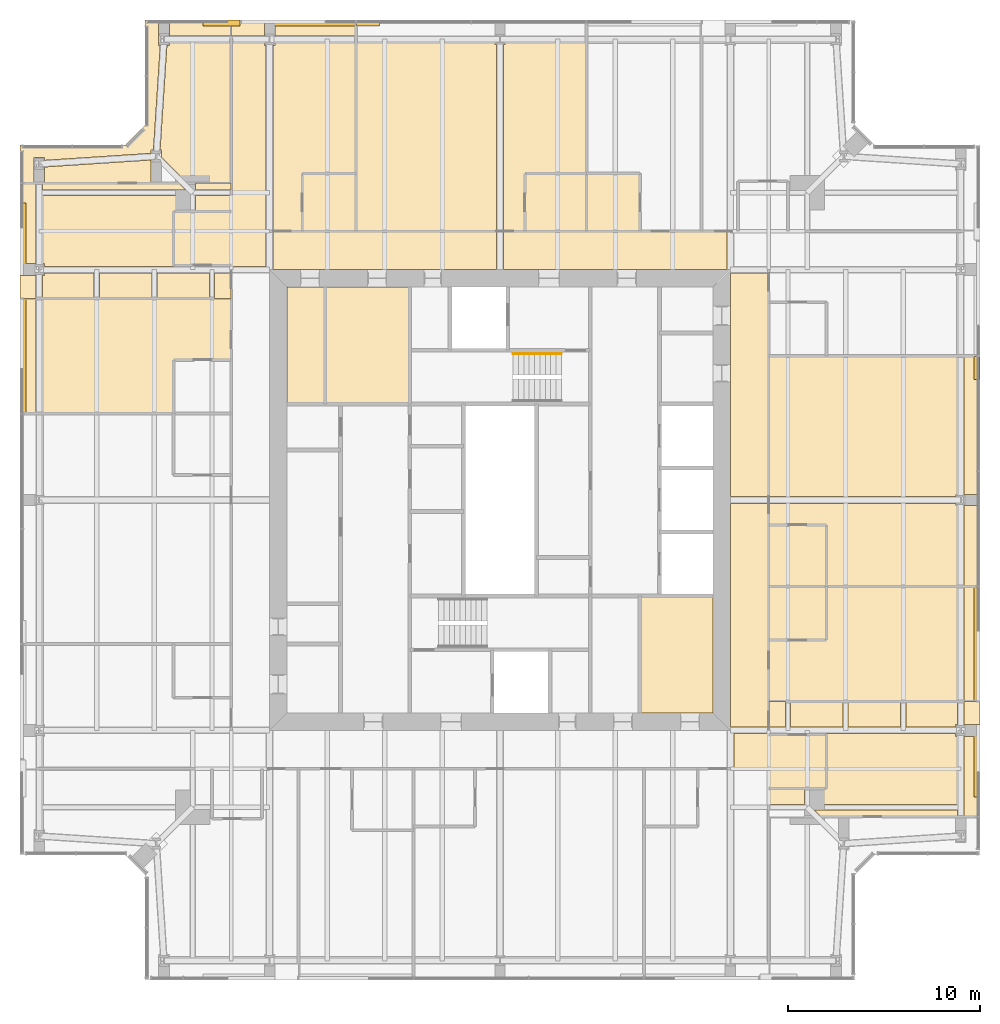
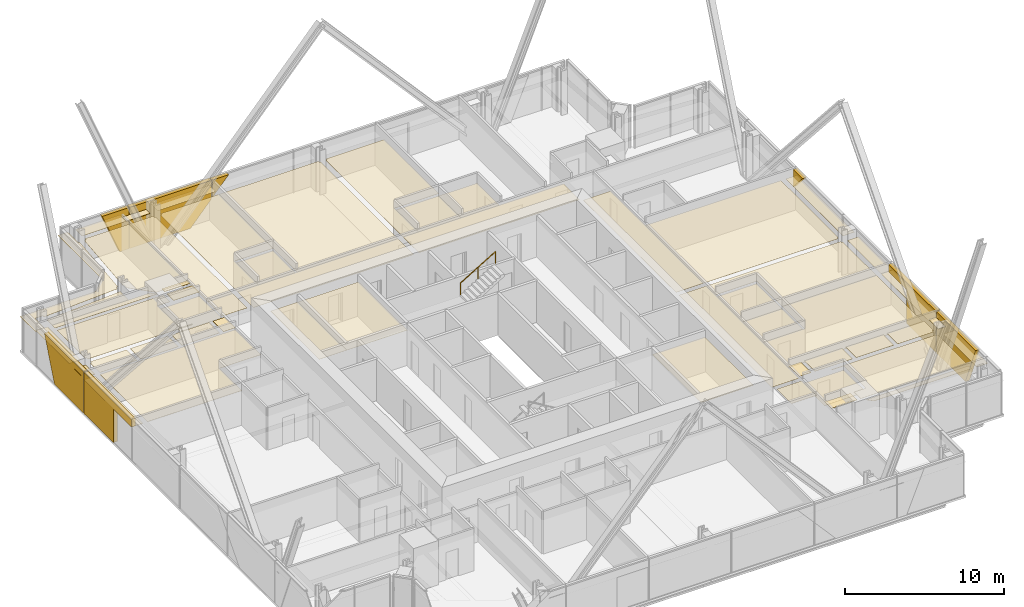
# One storey, part 17 of 18: 61 coverings, 1 railing.
"""IFC4 building model written with IfcOpenShell, lengths in metres."""

from ifc_helpers import new_model, si_unit, direction, frame, origin, origin_2d, place, context, subcontext, project, spatial, polyline, circle, outline, extrude, material, layer, layer_set, type_object, element, save


model = new_model("IFC4")

# Units and contexts
model_context = context("Model", 3, precision=1e-05, world=origin(), true_north=direction((0.0, 1.0)))
body_context = subcontext(model_context, "Body", "Model", "MODEL_VIEW")
ifc_project = project(units=[si_unit("LENGTHUNIT", "METRE"), si_unit("AREAUNIT", "SQUARE_METRE"), si_unit("VOLUMEUNIT", "CUBIC_METRE"), si_unit("PLANEANGLEUNIT", "RADIAN"), si_unit("MASSUNIT", "GRAM", prefix="KILO")], contexts=[model_context])

# Site, building, storey
site_placement = place(None, origin())
site = spatial("IfcSite", under=ifc_project, at=site_placement, CompositionType="ELEMENT")
building_placement = place(site_placement, origin())
building = spatial("IfcBuilding", under=site, at=building_placement, Name="Fenwick Lantern Interchange", CompositionType="ELEMENT")
storey_placement = place(building_placement, frame((0.0, 0.0, 269.60009765625)))
storey = spatial("IfcBuildingStorey", under=building, at=storey_placement, Name="L64", CompositionType="ELEMENT", Elevation=269.60009765625)

# Coverings
ifc_material_1 = material(Name="Granite cladding, warm grey flamed finish, on aluminium carrier frame", Category="masonry")
ifc_layer_1 = layer(ifc_material_1, 0.300048828125)
ifc_layer_set_1 = layer_set([ifc_layer_1], Name="BRACE CASING PANEL 300")
covering_type_1 = type_object("IfcCoveringType", Name="BRACE CASING PANEL 300", PredefinedType="CLADDING", material=ifc_layer_set_1)
covering_1_placement = place(storey_placement, frame((49.89990234375, 6.60009765625, 0.0), z_axis=(0.0, 0.0, 1.0), x_axis=(0.0, 1.0, 0.0)))
element("IfcCovering", 1, at=covering_1_placement, inside=storey, type_object=covering_type_1, Name="Brace casing 05 bay 01a", PredefinedType="CLADDING", context=body_context, shape_type="SweptSolid", body=[
    extrude(outline(polyline([(4.21337890625, 0.0), (7.8701171875, 0.0), (7.8701171875, 3.14990234375), (2.939453125, 3.14990234375), (4.21337890625, 0.0)])), frame((0.0, 0.2099609375, 0.0), z_axis=(0.0, -1.0, 0.0), x_axis=(1.0, 0.0, 0.0)), (0.0, 0.0, 1.0), 0.300048828125),
])
covering_2_placement = place(storey_placement, frame((49.89990234375, 6.60009765625, 0.0), z_axis=(0.0, 0.0, 1.0), x_axis=(0.0, 1.0, 0.0)))
element("IfcCovering", 2, at=covering_2_placement, inside=storey, type_object=covering_type_1, Name="Brace casing 05 bay 02a", PredefinedType="CLADDING", context=body_context, shape_type="SweptSolid", body=[
    extrude(outline(polyline([(7.929931640625, 0.0), (11.60009765625, 0.0), (11.60009765625, 2.56689453125), (13.8701171875, 2.56689453125), (13.8701171875, 3.14990234375), (7.929931640625, 3.14990234375), (7.929931640625, 0.0)])), frame((0.0, 0.2099609375, 0.0), z_axis=(0.0, -1.0, 0.0), x_axis=(1.0, 0.0, 0.0)), (0.0, 0.0, 1.0), 0.300048828125),
])
for number, where, z_axis, x_axis, name in (
    (3, (49.89990234375, 6.60009765625, 1.807373046875), (0.0, 0.0, 1.0), (0.0, 1.0, 0.0), "Brace casing 05 bay 04a"),
    (4, (43.39990234375, 49.89990234375, 1.807373046875), (0.0, 0.0, 1.0), (-1.0, 0.0, 0.0), "Brace casing 09 bay 04a"),
):
    element("IfcCovering", number, at=place(storey_placement, frame(where, z_axis=z_axis, x_axis=x_axis)), inside=storey, type_object=covering_type_1, Name=name, PredefinedType="CLADDING", context=body_context, shape_type="SweptSolid", body=[
        extrude(outline(polyline([(25.8701171875, 0.0), (25.8701171875, 1.342529296875), (24.685302734375, 1.342529296875), (25.8701171875, 0.0)])), frame((0.0, 0.2099609375, 0.0), z_axis=(0.0, -1.0, 0.0), x_axis=(1.0, 0.0, 0.0)), (0.0, 0.0, 1.0), 0.300048828125),
    ])
covering_3_placement = place(storey_placement, frame((43.39990234375, 49.89990234375, 0.0), z_axis=(0.0, 0.0, 1.0), x_axis=(-1.0, 0.0, 0.0)))
element("IfcCovering", 5, at=covering_3_placement, inside=storey, type_object=covering_type_1, Name="Brace casing 09 bay 05a", PredefinedType="CLADDING", context=body_context, shape_type="SweptSolid", body=[
    extrude(outline(polyline([(27.46484375, 0.0), (31.8701171875, 0.0), (31.8701171875, 3.14990234375), (25.929931640625, 3.14990234375), (25.929931640625, 1.7392578125), (27.46484375, 0.0)])), frame((0.0, 0.2099609375, 0.0), z_axis=(0.0, -1.0, 0.0), x_axis=(1.0, 0.0, 0.0)), (0.0, 0.0, 1.0), 0.300048828125),
])
covering_4_placement = place(storey_placement, frame((43.39990234375, 49.89990234375, 0.0), z_axis=(0.0, 0.0, 1.0), x_axis=(-1.0, 0.0, 0.0)))
element("IfcCovering", 6, at=covering_4_placement, inside=storey, type_object=covering_type_1, Name="Brace casing 09 bay 06a", PredefinedType="CLADDING", context=body_context, shape_type="SweptSolid", body=[
    extrude(outline(polyline([(31.929931640625, 0.0), (32.586669921875, 0.0), (33.860595703125, 3.14990234375), (31.929931640625, 3.14990234375), (31.929931640625, 0.0)])), frame((0.0, 0.2099609375, 0.0), z_axis=(0.0, -1.0, 0.0), x_axis=(1.0, 0.0, 0.0)), (0.0, 0.0, 1.0), 0.300048828125),
])
covering_5_placement = place(storey_placement, frame((0.10009765625, 43.39990234375, 0.0), z_axis=(0.0, 0.0, 1.0), x_axis=(0.0, -1.0, 0.0)))
element("IfcCovering", 7, at=covering_5_placement, inside=storey, type_object=covering_type_1, Name="Brace casing 13 bay 01a", PredefinedType="CLADDING", context=body_context, shape_type="SweptSolid", body=[
    extrude(outline(polyline([(4.21337890625, 0.0), (7.8701171875, 0.0), (7.8701171875, 3.14990234375), (2.939453125, 3.14990234375), (4.21337890625, 0.0)])), frame((0.0, 0.2099609375, 0.0), z_axis=(0.0, -1.0, 0.0), x_axis=(1.0, 0.0, 0.0)), (0.0, 0.0, 1.0), 0.300048828125),
])
covering_6_placement = place(storey_placement, frame((0.10009765625, 43.39990234375, 0.0), z_axis=(0.0, 0.0, 1.0), x_axis=(0.0, -1.0, 0.0)))
element("IfcCovering", 8, at=covering_6_placement, inside=storey, type_object=covering_type_1, Name="Brace casing 13 bay 02a", PredefinedType="CLADDING", context=body_context, shape_type="SweptSolid", body=[
    extrude(outline(polyline([(7.929931640625, 0.0), (11.60009765625, 0.0), (11.60009765625, 2.56689453125), (13.8701171875, 2.56689453125), (13.8701171875, 3.14990234375), (7.929931640625, 3.14990234375), (7.929931640625, 0.0)])), frame((0.0, 0.2099609375, 0.0), z_axis=(0.0, -1.0, 0.0), x_axis=(1.0, 0.0, 0.0)), (0.0, 0.0, 1.0), 0.300048828125),
])

# Railing
ifc_material_2 = material(Name="Stainless steel handrail", Category="steel")
railing_type = type_object("IfcRailingType", Name="HANDRAIL 900", PredefinedType="HANDRAIL", material=ifc_material_2)
railing_placement = place(storey_placement, frame((25.679931640625, 32.6259765625, 1.869873046875)))
element("IfcRailing", 9, at=railing_placement, inside=storey, type_object=railing_type, Name="L64/STAIR/ST2/HR2", PredefinedType="HANDRAIL", context=body_context, shape_type="SweptSolid", body=[
    extrude(circle(Radius=0.02392578125, at=origin_2d()), frame((0.0, 0.0, 0.8759765625), z_axis=(0.85478489116, 0.0, 0.518982456201), x_axis=(0.0, 1.0, 0.0)), (0.0, 0.0, 1.0), 2.9482421875),
    extrude(circle(Radius=0.02099609375, at=origin_2d()), origin(), (0.0, 0.0, 1.0), 0.851806640625),
    extrude(circle(Radius=0.02099609375, at=origin_2d()), frame((1.260009765625, 0.0, 0.76513671875)), (0.0, 0.0, 1.0), 0.851806640625),
    extrude(circle(Radius=0.02099609375, at=origin_2d()), frame((2.52001953125, 0.0, 1.530029296875)), (0.0, 0.0, 1.0), 0.851806640625),
])

# Coverings
ifc_material_3 = material(Name="Moisture resistant gypsum board on suspended frame, painted")
ifc_layer_2 = layer(ifc_material_3, 0.014892578125)
ifc_layer_set_2 = layer_set([ifc_layer_2], Name="MOISTURE RESISTANT CEILING 15")
covering_type_2 = type_object("IfcCoveringType", Name="MOISTURE RESISTANT CEILING 15", PredefinedType="CEILING", material=ifc_layer_set_2)
covering_7_placement = place(storey_placement, frame((0.0, 0.0, 2.599853515625)))
element("IfcCovering", 10, at=covering_7_placement, inside=storey, type_object=covering_type_2, Name="Women's WC ceiling", PredefinedType="CEILING", context=body_context, shape_type="SweptSolid", body=[
    extrude(outline(polyline([(32.300048828125, 13.89990234375), (36.10009765625, 13.89990234375), (36.10009765625, 20.0), (32.300048828125, 20.0), (32.300048828125, 13.89990234375)])), origin(), (0.0, 0.0, 1.0), 0.01513671875),
])
covering_8_placement = place(storey_placement, frame((0.0, 0.0, 2.599853515625)))
element("IfcCovering", 11, at=covering_8_placement, inside=storey, type_object=covering_type_2, Name="Women's WC ceiling", PredefinedType="CEILING", context=body_context, shape_type="SweptSolid", body=[
    extrude(outline(polyline([(20.300048828125, 36.10009765625), (15.89990234375, 36.10009765625), (15.89990234375, 30.0), (20.300048828125, 30.0), (20.300048828125, 36.10009765625)])), origin(), (0.0, 0.0, 1.0), 0.01513671875),
])
covering_9_placement = place(storey_placement, frame((0.0, 0.0, 2.599853515625)))
element("IfcCovering", 12, at=covering_9_placement, inside=storey, type_object=covering_type_2, Name="Men's WC ceiling", PredefinedType="CEILING", context=body_context, shape_type="SweptSolid", body=[
    extrude(outline(polyline([(15.89990234375, 36.10009765625), (13.89990234375, 36.10009765625), (13.89990234375, 30.0), (15.89990234375, 30.0), (15.89990234375, 36.10009765625)])), origin(), (0.0, 0.0, 1.0), 0.01513671875),
])
covering_10_placement = place(storey_placement, frame((0.0, 0.0, 2.39990234375)))
element("IfcCovering", 13, at=covering_10_placement, inside=storey, type_object=covering_type_2, Name="En-suite 6405 ceiling", PredefinedType="CEILING", context=body_context, shape_type="SweptSolid", body=[
    extrude(outline(polyline([(42.0, 9.97509765625), (42.0, 12.77490234375), (39.0, 12.77490234375), (39.0, 9.97509765625), (42.0, 9.97509765625)])), origin(), (0.0, 0.0, 1.0), 0.014892578125),
])
covering_11_placement = place(storey_placement, frame((0.0, 0.0, 2.39990234375)))
element("IfcCovering", 14, at=covering_11_placement, inside=storey, type_object=covering_type_2, Name="En-suite 6406 ceiling", PredefinedType="CEILING", context=body_context, shape_type="SweptSolid", body=[
    extrude(outline(polyline([(42.0, 17.699951171875), (42.0, 20.5), (39.0, 20.5), (39.0, 17.699951171875), (42.0, 17.699951171875)])), origin(), (0.0, 0.0, 1.0), 0.014892578125),
])
covering_12_placement = place(storey_placement, frame((0.0, 0.0, 2.39990234375)))
element("IfcCovering", 15, at=covering_12_placement, inside=storey, type_object=covering_type_2, Name="En-suite 6407 ceiling", PredefinedType="CEILING", context=body_context, shape_type="SweptSolid", body=[
    extrude(outline(polyline([(42.0, 20.5), (42.0, 23.699951171875), (39.0, 23.699951171875), (39.0, 20.5), (42.0, 20.5)])), origin(), (0.0, 0.0, 1.0), 0.014892578125),
])
covering_13_placement = place(storey_placement, frame((0.0, 0.0, 2.39990234375)))
element("IfcCovering", 16, at=covering_13_placement, inside=storey, type_object=covering_type_2, Name="En-suite 6410 ceiling", PredefinedType="CEILING", context=body_context, shape_type="SweptSolid", body=[
    extrude(outline(polyline([(32.300048828125, 42.0), (29.5, 42.0), (29.5, 39.0), (32.300048828125, 39.0), (32.300048828125, 42.0)])), origin(), (0.0, 0.0, 1.0), 0.014892578125),
])
covering_14_placement = place(storey_placement, frame((0.0, 0.0, 2.39990234375)))
element("IfcCovering", 17, at=covering_14_placement, inside=storey, type_object=covering_type_2, Name="En-suite 6411 ceiling", PredefinedType="CEILING", context=body_context, shape_type="SweptSolid", body=[
    extrude(outline(polyline([(29.5, 42.0), (26.300048828125, 42.0), (26.300048828125, 39.0), (29.5, 39.0), (29.5, 42.0)])), origin(), (0.0, 0.0, 1.0), 0.014892578125),
])
covering_15_placement = place(storey_placement, frame((0.0, 0.0, 2.39990234375)))
element("IfcCovering", 18, at=covering_15_placement, inside=storey, type_object=covering_type_2, Name="En-suite 6412 ceiling", PredefinedType="CEILING", context=body_context, shape_type="SweptSolid", body=[
    extrude(outline(polyline([(17.5, 42.0), (14.699951171875, 42.0), (14.699951171875, 39.0), (17.5, 39.0), (17.5, 42.0)])), origin(), (0.0, 0.0, 1.0), 0.014892578125),
])
covering_16_placement = place(storey_placement, frame((0.0, 0.0, 2.39990234375)))
element("IfcCovering", 19, at=covering_16_placement, inside=storey, type_object=covering_type_2, Name="En-suite 6413 ceiling", PredefinedType="CEILING", context=body_context, shape_type="SweptSolid", body=[
    extrude(outline(polyline([(8.0, 40.02490234375), (8.0, 37.22509765625), (11.0, 37.22509765625), (11.0, 40.02490234375), (8.0, 40.02490234375)])), origin(), (0.0, 0.0, 1.0), 0.014892578125),
])
ifc_material_4 = material(Name="Gypsum plasterboard on suspended frame, painted")
ifc_layer_3 = layer(ifc_material_4, 0.014892578125)
ifc_layer_set_3 = layer_set([ifc_layer_3], Name="PLASTERBOARD CEILING 15")
covering_type_3 = type_object("IfcCoveringType", Name="PLASTERBOARD CEILING 15", PredefinedType="CEILING", material=ifc_layer_set_3)
covering_17_placement = place(storey_placement, frame((0.0, 0.0, 2.57275390625)))
element("IfcCovering", 20, at=covering_17_placement, inside=storey, type_object=covering_type_3, Name="Corridor ceiling", PredefinedType="CEILING", context=body_context, shape_type="SweptSolid", body=[
    extrude(outline(polyline([(39.0, 25.175048828125), (39.0, 36.833984375), (37.0, 36.833984375), (37.0, 25.175048828125), (39.0, 25.175048828125)])), origin(), (0.0, 0.0, 1.0), 0.014892578125),
])
covering_18_placement = place(storey_placement, frame((0.0, 0.0, 2.57275390625)))
element("IfcCovering", 21, at=covering_18_placement, inside=storey, type_object=covering_type_3, Name="Corridor ceiling", PredefinedType="CEILING", context=body_context, shape_type="SweptSolid", body=[
    extrude(outline(polyline([(39.0, 13.166015625), (39.0, 24.824951171875), (37.0, 24.824951171875), (37.0, 13.166015625), (39.0, 13.166015625)])), origin(), (0.0, 0.0, 1.0), 0.014892578125),
])
covering_19_placement = place(storey_placement, frame((0.0, 0.0, 2.57275390625)))
element("IfcCovering", 22, at=covering_19_placement, inside=storey, type_object=covering_type_3, Name="Corridor ceiling", PredefinedType="CEILING", context=body_context, shape_type="SweptSolid", body=[
    extrude(outline(polyline([(24.816162109375, 39.0), (13.183837890625, 39.0), (13.183837890625, 37.0), (24.816162109375, 37.0), (24.816162109375, 39.0)])), origin(), (0.0, 0.0, 1.0), 0.014892578125),
])
covering_20_placement = place(storey_placement, frame((0.0, 0.0, 2.57275390625)))
element("IfcCovering", 23, at=covering_20_placement, inside=storey, type_object=covering_type_3, Name="Corridor ceiling", PredefinedType="CEILING", context=body_context, shape_type="SweptSolid", body=[
    extrude(outline(polyline([(36.816162109375, 39.0), (25.183837890625, 39.0), (25.183837890625, 37.0), (36.816162109375, 37.0), (36.816162109375, 39.0)])), origin(), (0.0, 0.0, 1.0), 0.014892578125),
])
covering_21_placement = place(storey_placement, frame((0.0, 0.0, 2.57275390625)))
element("IfcCovering", 24, at=covering_21_placement, inside=storey, type_object=covering_type_3, Name="Corridor ceiling", PredefinedType="CEILING", context=body_context, shape_type="SweptSolid", body=[
    extrude(outline(polyline([(12.816162109375, 39.0), (11.0, 39.0), (11.0, 37.166015625), (12.816162109375, 37.166015625), (12.816162109375, 39.0)])), origin(), (0.0, 0.0, 1.0), 0.014892578125),
])
covering_22_placement = place(storey_placement, frame((0.0, 0.0, 2.57275390625)))
element("IfcCovering", 25, at=covering_22_placement, inside=storey, type_object=covering_type_3, Name="Corridor ceiling", PredefinedType="CEILING", context=body_context, shape_type="SweptSolid", body=[
    extrude(outline(polyline([(39.0, 11.0), (39.0, 12.833984375), (37.183837890625, 12.833984375), (37.183837890625, 11.0), (39.0, 11.0)])), origin(), (0.0, 0.0, 1.0), 0.014892578125),
])
covering_23_placement = place(storey_placement, frame((0.0, 0.0, 2.699951171875)))
element("IfcCovering", 26, at=covering_23_placement, inside=storey, type_object=covering_type_3, Name="Guest suite 6405 bedroom ceiling", PredefinedType="CEILING", context=body_context, shape_type="SweptSolid", body=[
    extrude(outline(polyline([(48.72900390625, 12.6845703125), (48.72900390625, 12.833984375), (41.134521484375, 12.833984375), (41.134521484375, 12.77490234375), (42.0, 12.77490234375), (42.0, 9.97509765625), (41.134521484375, 9.97509765625), (41.134521484375, 9.134521484375), (48.82763671875, 9.134521484375), (48.82763671875, 12.6845703125), (48.72900390625, 12.6845703125)])), origin(), (0.0, 0.0, 1.0), 0.014892578125),
])
covering_24_placement = place(storey_placement, frame((0.0, 0.0, 2.699951171875)))
element("IfcCovering", 27, at=covering_24_placement, inside=storey, type_object=covering_type_3, Name="Guest suite 6405 bedroom ceiling", PredefinedType="CEILING", context=body_context, shape_type="SweptSolid", body=[
    extrude(outline(polyline([(42.865478515625, 14.5), (40.134521484375, 14.5), (40.134521484375, 13.166015625), (42.865478515625, 13.166015625), (42.865478515625, 14.5)])), origin(), (0.0, 0.0, 1.0), 0.014892578125),
])
covering_25_placement = place(storey_placement, frame((0.0, 0.0, 2.699951171875)))
element("IfcCovering", 28, at=covering_25_placement, inside=storey, type_object=covering_type_3, Name="Guest suite 6405 bedroom ceiling", PredefinedType="CEILING", context=body_context, shape_type="SweptSolid", body=[
    extrude(outline(polyline([(45.865478515625, 14.5), (43.134521484375, 14.5), (43.134521484375, 13.166015625), (45.865478515625, 13.166015625), (45.865478515625, 14.5)])), origin(), (0.0, 0.0, 1.0), 0.014892578125),
])
covering_26_placement = place(storey_placement, frame((0.0, 0.0, 2.699951171875)))
element("IfcCovering", 29, at=covering_26_placement, inside=storey, type_object=covering_type_3, Name="Guest suite 6405 bedroom ceiling", PredefinedType="CEILING", context=body_context, shape_type="SweptSolid", body=[
    extrude(outline(polyline([(48.72900390625, 13.3154296875), (48.82763671875, 13.3154296875), (48.82763671875, 14.5), (46.134521484375, 14.5), (46.134521484375, 13.166015625), (48.72900390625, 13.166015625), (48.72900390625, 13.3154296875)])), origin(), (0.0, 0.0, 1.0), 0.014892578125),
])
covering_27_placement = place(storey_placement, frame((0.0, 0.0, 2.699951171875)))
element("IfcCovering", 30, at=covering_27_placement, inside=storey, type_object=covering_type_3, Name="Guest suite 6405 bedroom ceiling", PredefinedType="CEILING", context=body_context, shape_type="SweptSolid", body=[
    extrude(outline(polyline([(50.0, 12.6845703125), (49.17236328125, 12.6845703125), (49.17236328125, 8.5), (50.0, 8.5), (50.0, 12.6845703125)])), origin(), (0.0, 0.0, 1.0), 0.014892578125),
])
covering_28_placement = place(storey_placement, frame((0.0, 0.0, 2.699951171875)))
element("IfcCovering", 31, at=covering_28_placement, inside=storey, type_object=covering_type_3, Name="Guest suite 6405 bedroom ceiling", PredefinedType="CEILING", context=body_context, shape_type="SweptSolid", body=[
    extrude(outline(polyline([(41.716796875, 8.5), (48.82763671875, 8.5), (48.82763671875, 8.865478515625), (41.351318359375, 8.865478515625), (41.716796875, 8.5)])), origin(), (0.0, 0.0, 1.0), 0.014892578125),
])
covering_29_placement = place(storey_placement, frame((0.0, 0.0, 2.699951171875)))
element("IfcCovering", 32, at=covering_29_placement, inside=storey, type_object=covering_type_3, Name="Guest suite 6405 bedroom ceiling", PredefinedType="CEILING", context=body_context, shape_type="SweptSolid", body=[
    extrude(outline(polyline([(39.0, 9.97509765625), (39.0, 9.134521484375), (40.865478515625, 9.134521484375), (40.865478515625, 9.97509765625), (39.0, 9.97509765625)])), origin(), (0.0, 0.0, 1.0), 0.014892578125),
])
covering_30_placement = place(storey_placement, frame((0.0, 0.0, 2.699951171875)))
element("IfcCovering", 33, at=covering_30_placement, inside=storey, type_object=covering_type_3, Name="Guest suite 6405 bedroom ceiling", PredefinedType="CEILING", context=body_context, shape_type="SweptSolid", body=[
    extrude(outline(polyline([(39.0, 14.5), (39.0, 13.166015625), (39.865478515625, 13.166015625), (39.865478515625, 14.5), (39.0, 14.5)])), origin(), (0.0, 0.0, 1.0), 0.014892578125),
])
covering_31_placement = place(storey_placement, frame((0.0, 0.0, 2.699951171875)))
element("IfcCovering", 34, at=covering_31_placement, inside=storey, type_object=covering_type_3, Name="Guest suite 6405 bedroom ceiling", PredefinedType="CEILING", context=body_context, shape_type="SweptSolid", body=[
    extrude(outline(polyline([(50.0, 13.3154296875), (50.0, 14.5), (49.17236328125, 14.5), (49.17236328125, 13.3154296875), (50.0, 13.3154296875)])), origin(), (0.0, 0.0, 1.0), 0.014892578125),
])
covering_32_placement = place(storey_placement, frame((0.0, 0.0, 2.57275390625)))
element("IfcCovering", 35, at=covering_32_placement, inside=storey, type_object=covering_type_3, Name="Guest room 6406 ceiling", PredefinedType="CEILING", context=body_context, shape_type="SweptSolid", body=[
    extrude(outline(polyline([(39.0, 14.5), (48.82763671875, 14.5), (48.82763671875, 20.5), (42.0, 20.5), (42.0, 17.699951171875), (39.0, 17.699951171875), (39.0, 14.5)])), origin(), (0.0, 0.0, 1.0), 0.014892578125),
])
covering_33_placement = place(storey_placement, frame((0.0, 0.0, 2.57275390625)))
element("IfcCovering", 36, at=covering_33_placement, inside=storey, type_object=covering_type_3, Name="Guest room 6406 ceiling", PredefinedType="CEILING", context=body_context, shape_type="SweptSolid", body=[
    extrude(outline(polyline([(50.0, 14.5), (50.0, 20.5), (49.17236328125, 20.5), (49.17236328125, 14.5), (50.0, 14.5)])), origin(), (0.0, 0.0, 1.0), 0.014892578125),
])
covering_34_placement = place(storey_placement, frame((0.0, 0.0, 2.57275390625)))
element("IfcCovering", 37, at=covering_34_placement, inside=storey, type_object=covering_type_3, Name="Guest suite 6407 ceiling", PredefinedType="CEILING", context=body_context, shape_type="SweptSolid", body=[
    extrude(outline(polyline([(48.73779296875, 25.28759765625), (48.82763671875, 25.28759765625), (48.82763671875, 32.5), (39.0, 32.5), (39.0, 25.175048828125), (48.73779296875, 25.175048828125), (48.73779296875, 25.28759765625)])), origin(), (0.0, 0.0, 1.0), 0.014892578125),
])
covering_35_placement = place(storey_placement, frame((0.0, 0.0, 2.57275390625)))
element("IfcCovering", 38, at=covering_35_placement, inside=storey, type_object=covering_type_3, Name="Guest suite 6407 ceiling", PredefinedType="CEILING", context=body_context, shape_type="SweptSolid", body=[
    extrude(outline(polyline([(48.73779296875, 24.71240234375), (48.73779296875, 24.824951171875), (39.0, 24.824951171875), (39.0, 23.699951171875), (42.0, 23.699951171875), (42.0, 20.5), (48.82763671875, 20.5), (48.82763671875, 24.71240234375), (48.73779296875, 24.71240234375)])), origin(), (0.0, 0.0, 1.0), 0.014892578125),
])
covering_36_placement = place(storey_placement, frame((0.0, 0.0, 2.57275390625)))
element("IfcCovering", 39, at=covering_36_placement, inside=storey, type_object=covering_type_3, Name="Guest suite 6407 ceiling", PredefinedType="CEILING", context=body_context, shape_type="SweptSolid", body=[
    extrude(outline(polyline([(50.0, 25.28759765625), (50.0, 32.5), (49.17236328125, 32.5), (49.17236328125, 25.28759765625), (50.0, 25.28759765625)])), origin(), (0.0, 0.0, 1.0), 0.014892578125),
])
covering_37_placement = place(storey_placement, frame((0.0, 0.0, 2.57275390625)))
element("IfcCovering", 40, at=covering_37_placement, inside=storey, type_object=covering_type_3, Name="Guest suite 6407 ceiling", PredefinedType="CEILING", context=body_context, shape_type="SweptSolid", body=[
    extrude(outline(polyline([(50.0, 24.71240234375), (49.17236328125, 24.71240234375), (49.17236328125, 20.5), (50.0, 20.5), (50.0, 24.71240234375)])), origin(), (0.0, 0.0, 1.0), 0.014892578125),
])
covering_38_placement = place(storey_placement, frame((0.0, 0.0, 2.57275390625)))
element("IfcCovering", 41, at=covering_38_placement, inside=storey, type_object=covering_type_3, Name="Guest suite 6411 ceiling", PredefinedType="CEILING", context=body_context, shape_type="SweptSolid", body=[
    extrude(outline(polyline([(24.73779296875, 48.71240234375), (24.73779296875, 48.82763671875), (17.5, 48.82763671875), (17.5, 39.0), (24.816162109375, 39.0), (24.816162109375, 48.71240234375), (24.73779296875, 48.71240234375)])), origin(), (0.0, 0.0, 1.0), 0.014892578125),
])
covering_39_placement = place(storey_placement, frame((0.0, 0.0, 2.57275390625)))
element("IfcCovering", 42, at=covering_39_placement, inside=storey, type_object=covering_type_3, Name="Guest suite 6411 ceiling", PredefinedType="CEILING", context=body_context, shape_type="SweptSolid", body=[
    extrude(outline(polyline([(25.26220703125, 48.71240234375), (25.183837890625, 48.71240234375), (25.183837890625, 39.0), (26.300048828125, 39.0), (26.300048828125, 42.0), (29.5, 42.0), (29.5, 48.82763671875), (25.26220703125, 48.82763671875), (25.26220703125, 48.71240234375)])), origin(), (0.0, 0.0, 1.0), 0.014892578125),
])
covering_40_placement = place(storey_placement, frame((0.0, 0.0, 2.57275390625)))
element("IfcCovering", 43, at=covering_40_placement, inside=storey, type_object=covering_type_3, Name="Guest room 6412 ceiling", PredefinedType="CEILING", context=body_context, shape_type="SweptSolid", body=[
    extrude(outline(polyline([(13.27099609375, 48.6845703125), (13.183837890625, 48.6845703125), (13.183837890625, 39.0), (14.699951171875, 39.0), (14.699951171875, 42.0), (17.5, 42.0), (17.5, 48.82763671875), (13.27099609375, 48.82763671875), (13.27099609375, 48.6845703125)])), origin(), (0.0, 0.0, 1.0), 0.014892578125),
])
covering_41_placement = place(storey_placement, frame((0.0, 0.0, 2.57275390625)))
element("IfcCovering", 44, at=covering_41_placement, inside=storey, type_object=covering_type_3, Name="Guest room 6412 ceiling", PredefinedType="CEILING", context=body_context, shape_type="SweptSolid", body=[
    extrude(outline(polyline([(12.72900390625, 48.6845703125), (12.72900390625, 48.82763671875), (11.0, 48.82763671875), (11.0, 39.0), (12.816162109375, 39.0), (12.816162109375, 48.6845703125), (12.72900390625, 48.6845703125)])), origin(), (0.0, 0.0, 1.0), 0.014892578125),
])
covering_42_placement = place(storey_placement, frame((0.0, 0.0, 2.57275390625)))
element("IfcCovering", 45, at=covering_42_placement, inside=storey, type_object=covering_type_3, Name="Guest room 6412 ceiling", PredefinedType="CEILING", context=body_context, shape_type="SweptSolid", body=[
    extrude(outline(polyline([(13.27099609375, 50.0), (13.27099609375, 49.17236328125), (17.5, 49.17236328125), (17.5, 50.0), (13.27099609375, 50.0)])), origin(), (0.0, 0.0, 1.0), 0.014892578125),
])
covering_43_placement = place(storey_placement, frame((0.0, 0.0, 2.57275390625)))
element("IfcCovering", 46, at=covering_43_placement, inside=storey, type_object=covering_type_3, Name="Guest room 6412 ceiling", PredefinedType="CEILING", context=body_context, shape_type="SweptSolid", body=[
    extrude(outline(polyline([(12.72900390625, 50.0), (11.0, 50.0), (11.0, 49.17236328125), (12.72900390625, 49.17236328125), (12.72900390625, 50.0)])), origin(), (0.0, 0.0, 1.0), 0.014892578125),
])
covering_44_placement = place(storey_placement, frame((0.0, 0.0, 2.57275390625)))
element("IfcCovering", 47, at=covering_44_placement, inside=storey, type_object=covering_type_3, Name="Guest suite 6413 sitting room ceiling", PredefinedType="CEILING", context=body_context, shape_type="SweptSolid", body=[
    extrude(outline(polyline([(7.77734375, 48.66552734375), (7.65087890625, 48.66552734375), (7.294677734375, 43.234375), (7.37744140625, 43.234375), (7.37744140625, 42.839599609375), (8.716796875, 41.5), (11.0, 41.5), (11.0, 48.82763671875), (7.77734375, 48.82763671875), (7.77734375, 48.66552734375)])), origin(), (0.0, 0.0, 1.0), 0.014892578125),
])
covering_45_placement = place(storey_placement, frame((0.0, 0.0, 2.57275390625)))
element("IfcCovering", 48, at=covering_45_placement, inside=storey, type_object=covering_type_3, Name="Guest suite 6413 sitting room ceiling", PredefinedType="CEILING", context=body_context, shape_type="SweptSolid", body=[
    extrude(outline(polyline([(7.22265625, 48.66552734375), (7.22265625, 50.0), (6.5, 50.0), (6.5, 44.5), (5.5, 43.5), (0.0, 43.5), (0.0, 41.5), (0.72265625, 41.5), (0.72265625, 42.83447265625), (1.27734375, 42.83447265625), (1.27734375, 42.69091796875), (6.82275390625, 43.0546875), (6.82275390625, 43.234375), (6.94921875, 43.234375), (7.30517578125, 48.66552734375), (7.22265625, 48.66552734375)])), origin(), (0.0, 0.0, 1.0), 0.014892578125),
])
covering_46_placement = place(storey_placement, frame((0.0, 0.0, 2.57275390625)))
element("IfcCovering", 49, at=covering_46_placement, inside=storey, type_object=covering_type_3, Name="Guest suite 6413 sitting room ceiling", PredefinedType="CEILING", context=body_context, shape_type="SweptSolid", body=[
    extrude(outline(polyline([(6.82275390625, 41.5), (6.82275390625, 42.708984375), (1.27734375, 42.345458984375), (1.27734375, 41.5), (6.82275390625, 41.5)])), origin(), (0.0, 0.0, 1.0), 0.014892578125),
])
covering_47_placement = place(storey_placement, frame((0.0, 0.0, 2.57275390625)))
element("IfcCovering", 50, at=covering_47_placement, inside=storey, type_object=covering_type_3, Name="Guest suite 6413 sitting room ceiling", PredefinedType="CEILING", context=body_context, shape_type="SweptSolid", body=[
    extrude(outline(polyline([(7.77734375, 50.0), (7.77734375, 49.17236328125), (11.0, 49.17236328125), (11.0, 50.0), (7.77734375, 50.0)])), origin(), (0.0, 0.0, 1.0), 0.014892578125),
])
covering_48_placement = place(storey_placement, frame((0.0, 0.0, 2.699951171875)))
element("IfcCovering", 51, at=covering_48_placement, inside=storey, type_object=covering_type_3, Name="Guest suite 6413 bedroom ceiling", PredefinedType="CEILING", context=body_context, shape_type="SweptSolid", body=[
    extrude(outline(polyline([(1.27099609375, 37.3154296875), (1.27099609375, 37.166015625), (8.865478515625, 37.166015625), (8.865478515625, 37.22509765625), (8.0, 37.22509765625), (8.0, 40.02490234375), (8.865478515625, 40.02490234375), (8.865478515625, 40.865478515625), (1.17236328125, 40.865478515625), (1.17236328125, 37.3154296875), (1.27099609375, 37.3154296875)])), origin(), (0.0, 0.0, 1.0), 0.014892578125),
])
covering_49_placement = place(storey_placement, frame((0.0, 0.0, 2.699951171875)))
element("IfcCovering", 52, at=covering_49_placement, inside=storey, type_object=covering_type_3, Name="Guest suite 6413 bedroom ceiling", PredefinedType="CEILING", context=body_context, shape_type="SweptSolid", body=[
    extrude(outline(polyline([(4.134521484375, 35.5), (6.865478515625, 35.5), (6.865478515625, 36.833984375), (4.134521484375, 36.833984375), (4.134521484375, 35.5)])), origin(), (0.0, 0.0, 1.0), 0.014892578125),
])
covering_50_placement = place(storey_placement, frame((0.0, 0.0, 2.699951171875)))
element("IfcCovering", 53, at=covering_50_placement, inside=storey, type_object=covering_type_3, Name="Guest suite 6413 bedroom ceiling", PredefinedType="CEILING", context=body_context, shape_type="SweptSolid", body=[
    extrude(outline(polyline([(7.134521484375, 35.5), (9.865478515625, 35.5), (9.865478515625, 36.833984375), (7.134521484375, 36.833984375), (7.134521484375, 35.5)])), origin(), (0.0, 0.0, 1.0), 0.014892578125),
])
covering_51_placement = place(storey_placement, frame((0.0, 0.0, 2.699951171875)))
element("IfcCovering", 54, at=covering_51_placement, inside=storey, type_object=covering_type_3, Name="Guest suite 6413 bedroom ceiling", PredefinedType="CEILING", context=body_context, shape_type="SweptSolid", body=[
    extrude(outline(polyline([(1.27099609375, 36.6845703125), (1.17236328125, 36.6845703125), (1.17236328125, 35.5), (3.865478515625, 35.5), (3.865478515625, 36.833984375), (1.27099609375, 36.833984375), (1.27099609375, 36.6845703125)])), origin(), (0.0, 0.0, 1.0), 0.014892578125),
])
covering_52_placement = place(storey_placement, frame((0.0, 0.0, 2.699951171875)))
element("IfcCovering", 55, at=covering_52_placement, inside=storey, type_object=covering_type_3, Name="Guest suite 6413 bedroom ceiling", PredefinedType="CEILING", context=body_context, shape_type="SweptSolid", body=[
    extrude(outline(polyline([(0.0, 37.3154296875), (0.82763671875, 37.3154296875), (0.82763671875, 41.5), (0.0, 41.5), (0.0, 37.3154296875)])), origin(), (0.0, 0.0, 1.0), 0.014892578125),
])
covering_53_placement = place(storey_placement, frame((0.0, 0.0, 2.699951171875)))
element("IfcCovering", 56, at=covering_53_placement, inside=storey, type_object=covering_type_3, Name="Guest suite 6413 bedroom ceiling", PredefinedType="CEILING", context=body_context, shape_type="SweptSolid", body=[
    extrude(outline(polyline([(8.283203125, 41.5), (1.17236328125, 41.5), (1.17236328125, 41.134521484375), (8.648681640625, 41.134521484375), (8.283203125, 41.5)])), origin(), (0.0, 0.0, 1.0), 0.014892578125),
])
covering_54_placement = place(storey_placement, frame((0.0, 0.0, 2.699951171875)))
element("IfcCovering", 57, at=covering_54_placement, inside=storey, type_object=covering_type_3, Name="Guest suite 6413 bedroom ceiling", PredefinedType="CEILING", context=body_context, shape_type="SweptSolid", body=[
    extrude(outline(polyline([(11.0, 40.02490234375), (11.0, 40.865478515625), (9.134521484375, 40.865478515625), (9.134521484375, 40.02490234375), (11.0, 40.02490234375)])), origin(), (0.0, 0.0, 1.0), 0.014892578125),
])
covering_55_placement = place(storey_placement, frame((0.0, 0.0, 2.699951171875)))
element("IfcCovering", 58, at=covering_55_placement, inside=storey, type_object=covering_type_3, Name="Guest suite 6413 bedroom ceiling", PredefinedType="CEILING", context=body_context, shape_type="SweptSolid", body=[
    extrude(outline(polyline([(11.0, 35.5), (11.0, 36.833984375), (10.134521484375, 36.833984375), (10.134521484375, 35.5), (11.0, 35.5)])), origin(), (0.0, 0.0, 1.0), 0.014892578125),
])
covering_56_placement = place(storey_placement, frame((0.0, 0.0, 2.699951171875)))
element("IfcCovering", 59, at=covering_56_placement, inside=storey, type_object=covering_type_3, Name="Guest suite 6413 bedroom ceiling", PredefinedType="CEILING", context=body_context, shape_type="SweptSolid", body=[
    extrude(outline(polyline([(0.0, 36.6845703125), (0.0, 35.5), (0.82763671875, 35.5), (0.82763671875, 36.6845703125), (0.0, 36.6845703125)])), origin(), (0.0, 0.0, 1.0), 0.014892578125),
])
covering_57_placement = place(storey_placement, frame((0.0, 0.0, 2.699951171875)))
element("IfcCovering", 60, at=covering_57_placement, inside=storey, type_object=covering_type_3, Name="Guest suite 6413 bedroom ceiling", PredefinedType="CEILING", context=body_context, shape_type="SweptSolid", body=[
    extrude(outline(polyline([(11.0, 41.5), (9.134521484375, 41.5), (9.134521484375, 41.134521484375), (11.0, 41.134521484375), (11.0, 41.5)])), origin(), (0.0, 0.0, 1.0), 0.014892578125),
])
covering_58_placement = place(storey_placement, frame((0.0, 0.0, 2.57275390625)))
element("IfcCovering", 61, at=covering_58_placement, inside=storey, type_object=covering_type_3, Name="Guest room 6414 ceiling", PredefinedType="CEILING", context=body_context, shape_type="SweptSolid", body=[
    extrude(outline(polyline([(11.0, 35.5), (1.17236328125, 35.5), (1.17236328125, 29.5), (8.0, 29.5), (8.0, 32.300048828125), (11.0, 32.300048828125), (11.0, 35.5)])), origin(), (0.0, 0.0, 1.0), 0.014892578125),
])
covering_59_placement = place(storey_placement, frame((0.0, 0.0, 2.57275390625)))
element("IfcCovering", 62, at=covering_59_placement, inside=storey, type_object=covering_type_3, Name="Guest room 6414 ceiling", PredefinedType="CEILING", context=body_context, shape_type="SweptSolid", body=[
    extrude(outline(polyline([(0.0, 35.5), (0.0, 29.5), (0.82763671875, 29.5), (0.82763671875, 35.5), (0.0, 35.5)])), origin(), (0.0, 0.0, 1.0), 0.014892578125),
])

save(model, "model.ifc")
